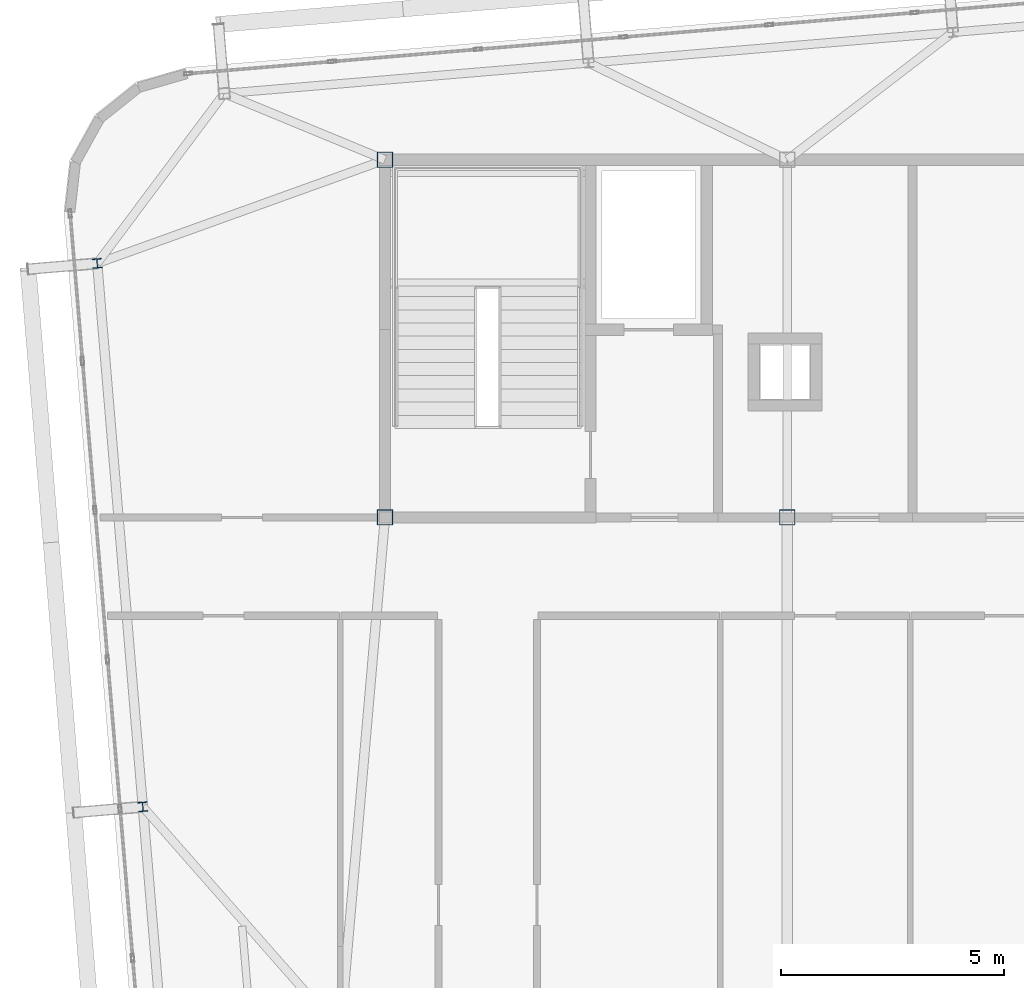
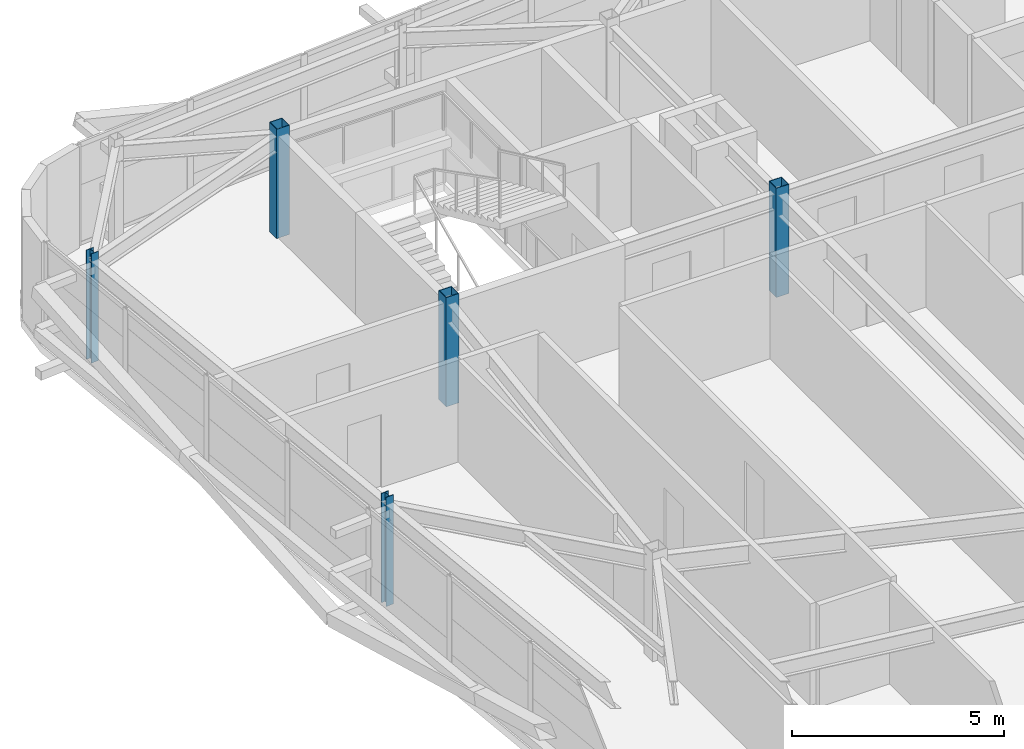
# One storey, part 2 of 46: 5 columns.
"""IFC4 building model written with IfcOpenShell, lengths in metres."""

from ifc_helpers import new_model, si_unit, direction, frame, origin, origin_2d, place, context, subcontext, project, spatial, hollow_rectangle, i_section, extrude, source, transform, mapped, material, material_profile, profile_set, type_object, element, save


model = new_model("IFC4")

# Units and contexts
model_context = context("Model", 3, precision=1e-05, world=origin(), true_north=direction((0.0, 1.0)))
body_context = subcontext(model_context, "Body", "Model", "MODEL_VIEW")
ifc_project = project(units=[si_unit("LENGTHUNIT", "METRE"), si_unit("AREAUNIT", "SQUARE_METRE"), si_unit("VOLUMEUNIT", "CUBIC_METRE"), si_unit("PLANEANGLEUNIT", "RADIAN"), si_unit("MASSUNIT", "GRAM", prefix="KILO")], contexts=[model_context])

# Site, building, storey
site_placement = place(None, origin())
site = spatial("IfcSite", under=ifc_project, at=site_placement, CompositionType="ELEMENT")
building_placement = place(site_placement, origin())
building = spatial("IfcBuilding", under=site, at=building_placement, Name="Taldren Reach Tower", CompositionType="ELEMENT")
storey_placement = place(building_placement, frame((0.0, 0.0, 194.60009765625)))
storey = spatial("IfcBuildingStorey", under=building, at=storey_placement, Name="L59", CompositionType="ELEMENT", Elevation=194.60009765625)

# Columns
ifc_material_1 = material(Name="Steel Gr 450 (C450L0)", Category="steel")
ifc_material_profile_1 = material_profile(ifc_material_1, hollow_rectangle(XDim=0.35009765625, YDim=0.35009765625, WallThickness=0.01611328125, at=origin_2d()), Name="350x350x16.0SHS")
ifc_profile_set_1 = profile_set([ifc_material_profile_1], Name="Steel Gr 450 (C450L0)")
column_type_1 = type_object("IfcColumnType", Name="COL-SHS350", PredefinedType="COLUMN", material=ifc_profile_set_1)
shared_shape_1 = source(origin(), body_context, "Body", "SweptSolid", [
    extrude(hollow_rectangle(XDim=0.35009765625, YDim=0.35009765625, WallThickness=0.01611328125, at=origin_2d()), origin(), (0.0, 0.0, 1.0), 3.14990234375),
])
for number, where, z_axis, x_axis, name in (
    (1, (19.0, 24.0, 0.0), (0.0, 0.0, 1.0), (1.0, 0.0, 0.0), "Mega column MC-C1 L59"),
    (2, (28.0, 24.0, 0.0), (0.0, 0.0, 1.0), (1.0, 0.0, 0.0), "Mega column MC-C2 L59"),
    (3, (19.0, 32.0, 0.0), (0.0, 0.0, 1.0), (1.0, 0.0, 0.0), "Mega column MC-C5 L59"),
):
    element("IfcColumn", number, at=place(storey_placement, frame(where, z_axis=z_axis, x_axis=x_axis)), inside=storey, type_object=column_type_1, Name=name, PredefinedType="COLUMN", context=body_context, shape_type="MappedRepresentation", body=[
        mapped(shared_shape_1, transform((0.0, 0.0, 0.0), scale=1.0)),
    ])
ifc_material_2 = material(Name="Steel Gr 350 (350PLUS)", Category="steel")
ifc_material_profile_2 = material_profile(ifc_material_2, i_section(OverallWidth=0.205078125, OverallDepth=0.2099609375, WebThickness=0.00927734375, FlangeThickness=0.01416015625, at=origin_2d()), Name="200UC59.5")
ifc_profile_set_2 = profile_set([ifc_material_profile_2], Name="Steel Gr 350 (350PLUS)")
column_type_2 = type_object("IfcColumnType", Name="COL-UC200", PredefinedType="COLUMN", material=ifc_profile_set_2)
shared_shape_2 = source(origin(), body_context, "Body", "SweptSolid", [
    extrude(i_section(OverallWidth=0.205078125, OverallDepth=0.2099609375, WebThickness=0.00927734375, FlangeThickness=0.01416015625, at=origin_2d()), origin(), (0.0, 0.0, 1.0), 3.14990234375),
])
for number, where, z_axis, x_axis, name in (
    (4, (13.582763671875, 17.525146484375, 0.0), (0.0, 0.0, 1.0), (0.99649285925, 0.083677843332, 0.0), "Block B4 perimeter column W2 L59"),
    (5, (12.56201171875, 29.682373046875, 0.0), (0.0, 0.0, 1.0), (0.99649285925, 0.083677843332, 0.0), "Block B4 perimeter column W3 L59"),
):
    element("IfcColumn", number, at=place(storey_placement, frame(where, z_axis=z_axis, x_axis=x_axis)), inside=storey, type_object=column_type_2, Name=name, PredefinedType="COLUMN", context=body_context, shape_type="MappedRepresentation", body=[
        mapped(shared_shape_2, transform((0.0, 0.0, 0.0), scale=1.0)),
    ])

save(model, "model.ifc")
